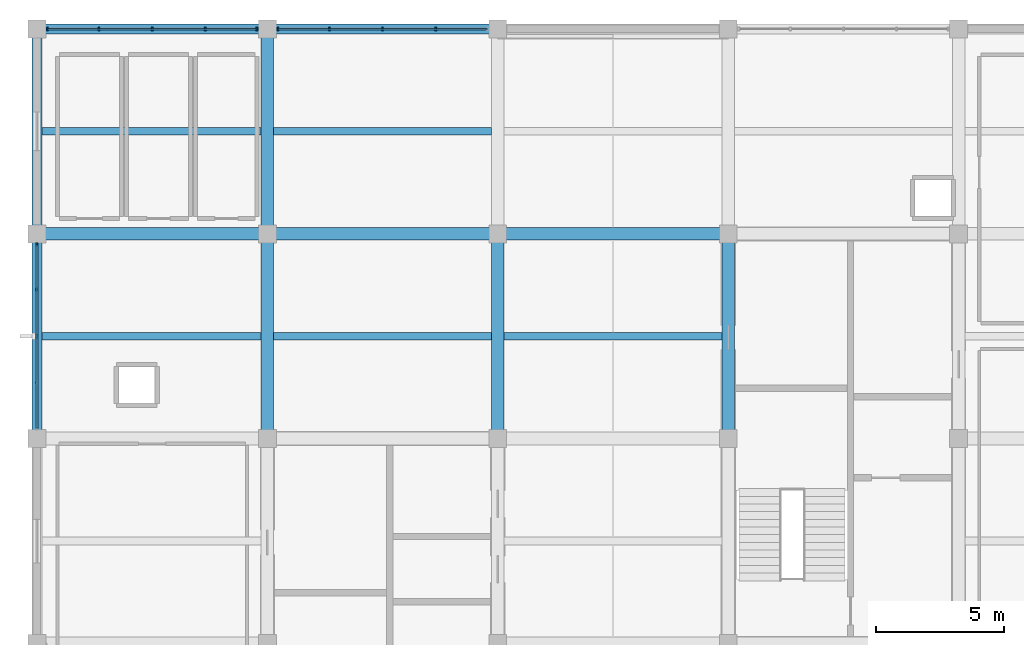
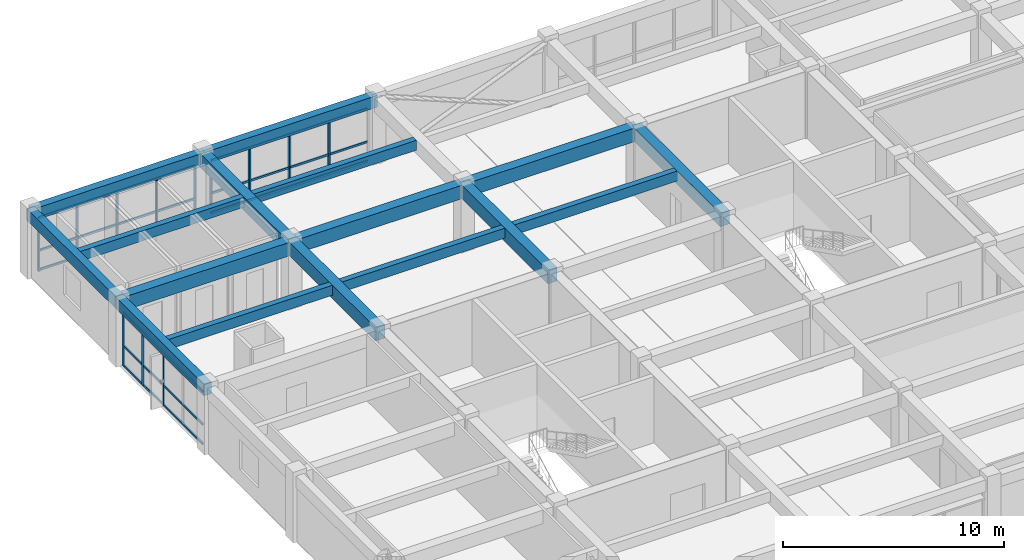
# One storey, part 7 of 14: 21 members, 16 beams, 3 elements without a shape of their own.
"""IFC4 building model written with IfcOpenShell, lengths in metres."""

from ifc_helpers import new_model, si_unit, direction, frame, origin, origin_2d, place, context, subcontext, project, spatial, rectangle, extrude, material, material_profile, profile_set, type_object, element, aggregate, save


model = new_model("IFC4")

# Units and contexts
model_context = context("Model", 3, precision=1e-05, world=origin(), true_north=direction((0.0, 1.0)))
body_context = subcontext(model_context, "Body", "Model", "MODEL_VIEW")
ifc_project = project(units=[si_unit("LENGTHUNIT", "METRE"), si_unit("AREAUNIT", "SQUARE_METRE"), si_unit("VOLUMEUNIT", "CUBIC_METRE"), si_unit("PLANEANGLEUNIT", "RADIAN"), si_unit("MASSUNIT", "GRAM", prefix="KILO")], contexts=[model_context])

# Site, building, storey
site_placement = place(None, origin())
site = spatial("IfcSite", under=ifc_project, at=site_placement, CompositionType="ELEMENT")
building_placement = place(site_placement, origin())
building = spatial("IfcBuilding", under=site, at=building_placement, Name="Zaverband Oceanarium and Marine Research Institute", CompositionType="ELEMENT")
storey_placement = place(building_placement, frame((0.0, 0.0, 57.0)))
storey = spatial("IfcBuildingStorey", under=building, at=storey_placement, Name="L14", CompositionType="ELEMENT", Elevation=57.0)

# Beams
ifc_material_1 = material(Name="Concrete C40/50", Category="concrete")
ifc_material_profile_1 = material_profile(ifc_material_1, rectangle(XDim=0.5, YDim=0.75, at=origin_2d()), Name="RC500x750")
ifc_profile_set_1 = profile_set([ifc_material_profile_1], Name="Concrete C40/50")
beam_type_1 = type_object("IfcBeamType", Name="BM-500x750", PredefinedType="BEAM", material=ifc_profile_set_1)
for number, where, z_axis, x_axis, name in (
    (1, (9.0, 104.0, 3.27490234375), (1.0, 0.0, 0.0), (0.0, 1.0, 0.0), "Primary floor girder BM-500x750"),
    (2, (18.0, 104.0, 3.27490234375), (1.0, 0.0, 0.0), (0.0, 1.0, 0.0), "Primary floor girder BM-500x750"),
    (3, (27.0, 104.0, 3.27490234375), (1.0, 0.0, 0.0), (0.0, 1.0, 0.0), "Primary floor girder BM-500x750"),
):
    element("IfcBeam", number, at=place(storey_placement, frame(where, z_axis=z_axis, x_axis=x_axis)), inside=storey, type_object=beam_type_1, Name=name, PredefinedType="BEAM", context=body_context, shape_type="SweptSolid", body=[
        extrude(rectangle(XDim=0.5, YDim=0.75, at=origin_2d()), origin(), (0.0, 0.0, 1.0), 9.0),
    ])
for number, where, z_axis, x_axis, name in (
    (4, (18.0, 96.0, 3.27490234375), (0.0, 1.0, 0.0), (-1.0, 0.0, 0.0), "Primary floor girder BM-500x750"),
    (5, (18.0, 104.0, 3.27490234375), (0.0, 1.0, 0.0), (-1.0, 0.0, 0.0), "Primary floor girder BM-500x750"),
    (6, (27.0, 96.0, 3.27490234375), (0.0, 1.0, 0.0), (-1.0, 0.0, 0.0), "Primary floor girder BM-500x750"),
    (7, (36.0, 96.0, 3.27490234375), (0.0, 1.0, 0.0), (-1.0, 0.0, 0.0), "Primary floor girder BM-500x750"),
):
    element("IfcBeam", number, at=place(storey_placement, frame(where, z_axis=z_axis, x_axis=x_axis)), inside=storey, type_object=beam_type_1, Name=name, PredefinedType="BEAM", context=body_context, shape_type="SweptSolid", body=[
        extrude(rectangle(XDim=0.5, YDim=0.75, at=origin_2d()), origin(), (0.0, 0.0, 1.0), 8.0),
    ])
ifc_material_profile_2 = material_profile(ifc_material_1, rectangle(XDim=0.300048828125, YDim=0.550048828125, at=origin_2d()), Name="RC300x550")
ifc_profile_set_2 = profile_set([ifc_material_profile_2], Name="Concrete C40/50")
beam_type_2 = type_object("IfcBeamType", Name="JST-300x550", PredefinedType="JOIST", material=ifc_profile_set_2)
for number, where, z_axis, x_axis, name in (
    (8, (9.199951171875, 100.0, 3.375), (1.0, 0.0, 0.0), (0.0, 1.0, 0.0), "Secondary floor joist JST-300x550"),
    (9, (9.199951171875, 108.0, 3.375), (1.0, 0.0, 0.0), (0.0, 1.0, 0.0), "Secondary floor joist JST-300x550"),
):
    element("IfcBeam", number, at=place(storey_placement, frame(where, z_axis=z_axis, x_axis=x_axis)), inside=storey, type_object=beam_type_2, Name=name, PredefinedType="JOIST", context=body_context, shape_type="SweptSolid", body=[
        extrude(rectangle(XDim=0.300048828125, YDim=0.550048828125, at=origin_2d()), origin(), (0.0, 0.0, 1.0), 8.550048828125),
    ])
for number, where, z_axis, x_axis, name in (
    (10, (18.25, 100.0, 3.375), (1.0, 0.0, 0.0), (0.0, 1.0, 0.0), "Secondary floor joist JST-300x550"),
    (11, (18.25, 108.0, 3.375), (1.0, 0.0, 0.0), (0.0, 1.0, 0.0), "Secondary floor joist JST-300x550"),
    (12, (27.25, 100.0, 3.375), (1.0, 0.0, 0.0), (0.0, 1.0, 0.0), "Secondary floor joist JST-300x550"),
):
    element("IfcBeam", number, at=place(storey_placement, frame(where, z_axis=z_axis, x_axis=x_axis)), inside=storey, type_object=beam_type_2, Name=name, PredefinedType="JOIST", context=body_context, shape_type="SweptSolid", body=[
        extrude(rectangle(XDim=0.300048828125, YDim=0.550048828125, at=origin_2d()), origin(), (0.0, 0.0, 1.0), 8.5),
    ])

# Curtain wall, members
ifc_material_2 = material(Name="Thermally broken anodized aluminium and solar-control glass", Category="aluminium")
curtain_wall_type = type_object("IfcCurtainWallType", Name="CW-UNIT-1800", PredefinedType="NOTDEFINED", material=ifc_material_2)
curtain_wall_1_placement = place(storey_placement, origin())
curtain_wall_1 = element("IfcCurtainWall", 13, at=curtain_wall_1_placement, inside=storey, type_object=curtain_wall_type, Name="Unitised glazed curtain wall CW-150", PredefinedType="NOTDEFINED")
ifc_material_3 = material(Name="Thermally broken anodized aluminium", Category="aluminium")
ifc_material_profile_3 = material_profile(ifc_material_3, rectangle(XDim=0.070068359375, YDim=0.14990234375, at=origin_2d()), Name="AL-MUL-70x150")
ifc_profile_set_3 = profile_set([ifc_material_profile_3], Name="Thermally broken anodized aluminium")
member_type_1 = type_object("IfcMemberType", Name="MUL-70x150", PredefinedType="MULLION", material=ifc_profile_set_3)
member_1_placement = place(storey_placement, frame((9.4150390625, 112.0, 0.0), z_axis=(0.0, 0.0, 1.0), x_axis=(1.0, 0.0, 0.0)))
member_1 = element("IfcMember", 14, at=member_1_placement, type_object=member_type_1, Name="Curtain wall vertical mullion MUL-70x150", PredefinedType="MULLION", context=body_context, shape_type="SweptSolid", body=[
    extrude(rectangle(XDim=0.070068359375, YDim=0.14990234375, at=origin_2d()), origin(), (0.0, 0.0, 1.0), 2.97998046875),
])
member_2_placement = place(storey_placement, frame((11.427490234375, 112.0, 0.0), z_axis=(0.0, 0.0, 1.0), x_axis=(1.0, 0.0, 0.0)))
member_2 = element("IfcMember", 15, at=member_2_placement, type_object=member_type_1, Name="Curtain wall vertical mullion MUL-70x150", PredefinedType="MULLION", context=body_context, shape_type="SweptSolid", body=[
    extrude(rectangle(XDim=0.070068359375, YDim=0.14990234375, at=origin_2d()), origin(), (0.0, 0.0, 1.0), 2.97998046875),
])
member_3_placement = place(storey_placement, frame((13.5, 112.0, 0.0), z_axis=(0.0, 0.0, 1.0), x_axis=(1.0, 0.0, 0.0)))
member_3 = element("IfcMember", 16, at=member_3_placement, type_object=member_type_1, Name="Curtain wall vertical mullion MUL-70x150", PredefinedType="MULLION", context=body_context, shape_type="SweptSolid", body=[
    extrude(rectangle(XDim=0.070068359375, YDim=0.14990234375, at=origin_2d()), origin(), (0.0, 0.0, 1.0), 2.97998046875),
])
member_4_placement = place(storey_placement, frame((15.572509765625, 112.0, 0.0), z_axis=(0.0, 0.0, 1.0), x_axis=(1.0, 0.0, 0.0)))
member_4 = element("IfcMember", 17, at=member_4_placement, type_object=member_type_1, Name="Curtain wall vertical mullion MUL-70x150", PredefinedType="MULLION", context=body_context, shape_type="SweptSolid", body=[
    extrude(rectangle(XDim=0.070068359375, YDim=0.14990234375, at=origin_2d()), origin(), (0.0, 0.0, 1.0), 2.97998046875),
])
member_5_placement = place(storey_placement, frame((17.5849609375, 112.0, 0.0), z_axis=(0.0, 0.0, 1.0), x_axis=(1.0, 0.0, 0.0)))
member_5 = element("IfcMember", 18, at=member_5_placement, type_object=member_type_1, Name="Curtain wall vertical mullion MUL-70x150", PredefinedType="MULLION", context=body_context, shape_type="SweptSolid", body=[
    extrude(rectangle(XDim=0.070068359375, YDim=0.14990234375, at=origin_2d()), origin(), (0.0, 0.0, 1.0), 2.97998046875),
])

curtain_wall_2_placement = place(storey_placement, origin())
curtain_wall_2 = element("IfcCurtainWall", 19, at=curtain_wall_2_placement, inside=storey, type_object=curtain_wall_type, Name="Unitised glazed curtain wall CW-151", PredefinedType="NOTDEFINED")
member_6_placement = place(storey_placement, frame((18.4150390625, 112.0, 0.0), z_axis=(0.0, 0.0, 1.0), x_axis=(1.0, 0.0, 0.0)))
member_6 = element("IfcMember", 20, at=member_6_placement, type_object=member_type_1, Name="Curtain wall vertical mullion MUL-70x150", PredefinedType="MULLION", context=body_context, shape_type="SweptSolid", body=[
    extrude(rectangle(XDim=0.070068359375, YDim=0.14990234375, at=origin_2d()), origin(), (0.0, 0.0, 1.0), 2.97998046875),
])
member_7_placement = place(storey_placement, frame((20.427490234375, 112.0, 0.0), z_axis=(0.0, 0.0, 1.0), x_axis=(1.0, 0.0, 0.0)))
member_7 = element("IfcMember", 21, at=member_7_placement, type_object=member_type_1, Name="Curtain wall vertical mullion MUL-70x150", PredefinedType="MULLION", context=body_context, shape_type="SweptSolid", body=[
    extrude(rectangle(XDim=0.070068359375, YDim=0.14990234375, at=origin_2d()), origin(), (0.0, 0.0, 1.0), 2.97998046875),
])
member_8_placement = place(storey_placement, frame((22.5, 112.0, 0.0), z_axis=(0.0, 0.0, 1.0), x_axis=(1.0, 0.0, 0.0)))
member_8 = element("IfcMember", 22, at=member_8_placement, type_object=member_type_1, Name="Curtain wall vertical mullion MUL-70x150", PredefinedType="MULLION", context=body_context, shape_type="SweptSolid", body=[
    extrude(rectangle(XDim=0.070068359375, YDim=0.14990234375, at=origin_2d()), origin(), (0.0, 0.0, 1.0), 2.97998046875),
])
member_9_placement = place(storey_placement, frame((24.572509765625, 112.0, 0.0), z_axis=(0.0, 0.0, 1.0), x_axis=(1.0, 0.0, 0.0)))
member_9 = element("IfcMember", 23, at=member_9_placement, type_object=member_type_1, Name="Curtain wall vertical mullion MUL-70x150", PredefinedType="MULLION", context=body_context, shape_type="SweptSolid", body=[
    extrude(rectangle(XDim=0.070068359375, YDim=0.14990234375, at=origin_2d()), origin(), (0.0, 0.0, 1.0), 2.97998046875),
])

curtain_wall_3_placement = place(storey_placement, origin())
curtain_wall_3 = element("IfcCurtainWall", 24, at=curtain_wall_3_placement, inside=storey, type_object=curtain_wall_type, Name="Unitised glazed curtain wall CW-154", PredefinedType="NOTDEFINED")
member_10_placement = place(storey_placement, frame((9.0, 100.0, 0.0), z_axis=(0.0, 0.0, 1.0), x_axis=(1.0, 0.0, 0.0)))
member_10 = element("IfcMember", 25, at=member_10_placement, type_object=member_type_1, Name="Curtain wall vertical mullion MUL-70x150", PredefinedType="MULLION", context=body_context, shape_type="SweptSolid", body=[
    extrude(rectangle(XDim=0.070068359375, YDim=0.14990234375, at=origin_2d()), origin(), (0.0, 0.0, 1.0), 2.97998046875),
])
member_11_placement = place(storey_placement, frame((9.0, 101.822509765625, 0.0), z_axis=(0.0, 0.0, 1.0), x_axis=(1.0, 0.0, 0.0)))
member_11 = element("IfcMember", 26, at=member_11_placement, type_object=member_type_1, Name="Curtain wall vertical mullion MUL-70x150", PredefinedType="MULLION", context=body_context, shape_type="SweptSolid", body=[
    extrude(rectangle(XDim=0.070068359375, YDim=0.14990234375, at=origin_2d()), origin(), (0.0, 0.0, 1.0), 2.97998046875),
])
member_12_placement = place(storey_placement, frame((9.0, 103.5849609375, 0.0), z_axis=(0.0, 0.0, 1.0), x_axis=(1.0, 0.0, 0.0)))
member_12 = element("IfcMember", 27, at=member_12_placement, type_object=member_type_1, Name="Curtain wall vertical mullion MUL-70x150", PredefinedType="MULLION", context=body_context, shape_type="SweptSolid", body=[
    extrude(rectangle(XDim=0.070068359375, YDim=0.14990234375, at=origin_2d()), origin(), (0.0, 0.0, 1.0), 2.97998046875),
])

# Beams
ifc_material_profile_4 = material_profile(ifc_material_1, rectangle(XDim=0.39990234375, YDim=0.64990234375, at=origin_2d()), Name="RC400x650")
ifc_profile_set_4 = profile_set([ifc_material_profile_4], Name="Concrete C40/50")
beam_type_3 = type_object("IfcBeamType", Name="SPN-400x650", PredefinedType="SPANDREL", material=ifc_profile_set_4)
for number, where, z_axis, x_axis, name in (
    (28, (9.0, 112.0, 3.324951171875), (1.0, 0.0, 0.0), (0.0, 1.0, 0.0), "Perimeter spandrel beam SPN-400x650"),
    (29, (18.0, 112.0, 3.324951171875), (1.0, 0.0, 0.0), (0.0, 1.0, 0.0), "Perimeter spandrel beam SPN-400x650"),
):
    element("IfcBeam", number, at=place(storey_placement, frame(where, z_axis=z_axis, x_axis=x_axis)), inside=storey, type_object=beam_type_3, Name=name, PredefinedType="SPANDREL", context=body_context, shape_type="SweptSolid", body=[
        extrude(rectangle(XDim=0.39990234375, YDim=0.64990234375, at=origin_2d()), origin(), (0.0, 0.0, 1.0), 9.0),
    ])
for number, where, z_axis, x_axis, name in (
    (30, (9.0, 96.0, 3.324951171875), (0.0, 1.0, 0.0), (-1.0, 0.0, 0.0), "Perimeter spandrel beam SPN-400x650"),
    (31, (9.0, 104.0, 3.324951171875), (0.0, 1.0, 0.0), (-1.0, 0.0, 0.0), "Perimeter spandrel beam SPN-400x650"),
):
    element("IfcBeam", number, at=place(storey_placement, frame(where, z_axis=z_axis, x_axis=x_axis)), inside=storey, type_object=beam_type_3, Name=name, PredefinedType="SPANDREL", context=body_context, shape_type="SweptSolid", body=[
        extrude(rectangle(XDim=0.39990234375, YDim=0.64990234375, at=origin_2d()), origin(), (0.0, 0.0, 1.0), 8.0),
    ])

# Member
ifc_material_profile_5 = material_profile(ifc_material_3, rectangle(XDim=0.070068359375, YDim=0.114990234375, at=origin_2d()), Name="AL-TRN-70x115")
ifc_profile_set_5 = profile_set([ifc_material_profile_5], Name="Thermally broken anodized aluminium")
member_type_2 = type_object("IfcMemberType", Name="TRN-70x115", PredefinedType="USERDEFINED", material=ifc_profile_set_5)
member_13_placement = place(storey_placement, frame((9.4150390625, 112.0, 0.050048828125), z_axis=(1.0, 0.0, 0.0), x_axis=(0.0, 1.0, 0.0)))
member_13 = element("IfcMember", 32, at=member_13_placement, type_object=member_type_2, Name="Curtain wall horizontal transom TRN-70x115", ObjectType="TRANSOM", PredefinedType="USERDEFINED", context=body_context, shape_type="SweptSolid", body=[
    extrude(rectangle(XDim=0.070068359375, YDim=0.114990234375, at=origin_2d()), origin(), (0.0, 0.0, 1.0), 8.169921875),
])

member_14_placement = place(storey_placement, frame((9.4150390625, 112.0, 1.123046875), z_axis=(1.0, 0.0, 0.0), x_axis=(0.0, 1.0, 0.0)))
member_14 = element("IfcMember", 33, at=member_14_placement, type_object=member_type_2, Name="Curtain wall horizontal transom TRN-70x115", ObjectType="TRANSOM", PredefinedType="USERDEFINED", context=body_context, shape_type="SweptSolid", body=[
    extrude(rectangle(XDim=0.070068359375, YDim=0.114990234375, at=origin_2d()), origin(), (0.0, 0.0, 1.0), 8.169921875),
])

member_15_placement = place(storey_placement, frame((9.4150390625, 112.0, 2.929931640625), z_axis=(1.0, 0.0, 0.0), x_axis=(0.0, 1.0, 0.0)))
member_15 = element("IfcMember", 34, at=member_15_placement, type_object=member_type_2, Name="Curtain wall horizontal transom TRN-70x115", ObjectType="TRANSOM", PredefinedType="USERDEFINED", context=body_context, shape_type="SweptSolid", body=[
    extrude(rectangle(XDim=0.070068359375, YDim=0.114990234375, at=origin_2d()), origin(), (0.0, 0.0, 1.0), 8.169921875),
])

aggregate(curtain_wall_1, [member_1, member_2, member_3, member_4, member_5, member_13, member_14, member_15])

member_16_placement = place(storey_placement, frame((18.4150390625, 112.0, 0.050048828125), z_axis=(1.0, 0.0, 0.0), x_axis=(0.0, 1.0, 0.0)))
member_16 = element("IfcMember", 35, at=member_16_placement, type_object=member_type_2, Name="Curtain wall horizontal transom TRN-70x115", ObjectType="TRANSOM", PredefinedType="USERDEFINED", context=body_context, shape_type="SweptSolid", body=[
    extrude(rectangle(XDim=0.070068359375, YDim=0.114990234375, at=origin_2d()), origin(), (0.0, 0.0, 1.0), 8.169921875),
])

member_17_placement = place(storey_placement, frame((18.4150390625, 112.0, 1.123046875), z_axis=(1.0, 0.0, 0.0), x_axis=(0.0, 1.0, 0.0)))
member_17 = element("IfcMember", 36, at=member_17_placement, type_object=member_type_2, Name="Curtain wall horizontal transom TRN-70x115", ObjectType="TRANSOM", PredefinedType="USERDEFINED", context=body_context, shape_type="SweptSolid", body=[
    extrude(rectangle(XDim=0.070068359375, YDim=0.114990234375, at=origin_2d()), origin(), (0.0, 0.0, 1.0), 8.169921875),
])

member_18_placement = place(storey_placement, frame((18.4150390625, 112.0, 2.929931640625), z_axis=(1.0, 0.0, 0.0), x_axis=(0.0, 1.0, 0.0)))
member_18 = element("IfcMember", 37, at=member_18_placement, type_object=member_type_2, Name="Curtain wall horizontal transom TRN-70x115", ObjectType="TRANSOM", PredefinedType="USERDEFINED", context=body_context, shape_type="SweptSolid", body=[
    extrude(rectangle(XDim=0.070068359375, YDim=0.114990234375, at=origin_2d()), origin(), (0.0, 0.0, 1.0), 8.169921875),
])

aggregate(curtain_wall_2, [member_6, member_7, member_8, member_9, member_16, member_17, member_18])

member_19_placement = place(storey_placement, frame((9.0, 96.4150390625, 0.050048828125), z_axis=(0.0, 1.0, 0.0), x_axis=(-1.0, 0.0, 0.0)))
member_19 = element("IfcMember", 38, at=member_19_placement, type_object=member_type_2, Name="Curtain wall horizontal transom TRN-70x115", ObjectType="TRANSOM", PredefinedType="USERDEFINED", context=body_context, shape_type="SweptSolid", body=[
    extrude(rectangle(XDim=0.070068359375, YDim=0.114990234375, at=origin_2d()), origin(), (0.0, 0.0, 1.0), 7.169921875),
])

member_20_placement = place(storey_placement, frame((9.0, 96.4150390625, 1.123046875), z_axis=(0.0, 1.0, 0.0), x_axis=(-1.0, 0.0, 0.0)))
member_20 = element("IfcMember", 39, at=member_20_placement, type_object=member_type_2, Name="Curtain wall horizontal transom TRN-70x115", ObjectType="TRANSOM", PredefinedType="USERDEFINED", context=body_context, shape_type="SweptSolid", body=[
    extrude(rectangle(XDim=0.070068359375, YDim=0.114990234375, at=origin_2d()), origin(), (0.0, 0.0, 1.0), 7.169921875),
])

member_21_placement = place(storey_placement, frame((9.0, 96.4150390625, 2.929931640625), z_axis=(0.0, 1.0, 0.0), x_axis=(-1.0, 0.0, 0.0)))
member_21 = element("IfcMember", 40, at=member_21_placement, type_object=member_type_2, Name="Curtain wall horizontal transom TRN-70x115", ObjectType="TRANSOM", PredefinedType="USERDEFINED", context=body_context, shape_type="SweptSolid", body=[
    extrude(rectangle(XDim=0.070068359375, YDim=0.114990234375, at=origin_2d()), origin(), (0.0, 0.0, 1.0), 7.169921875),
])

aggregate(curtain_wall_3, [member_10, member_11, member_12, member_19, member_20, member_21])

save(model, "model.ifc")
